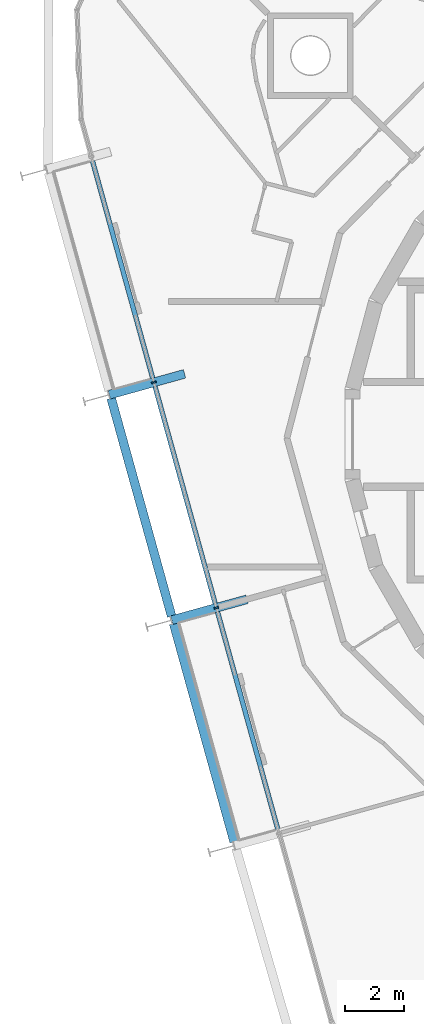
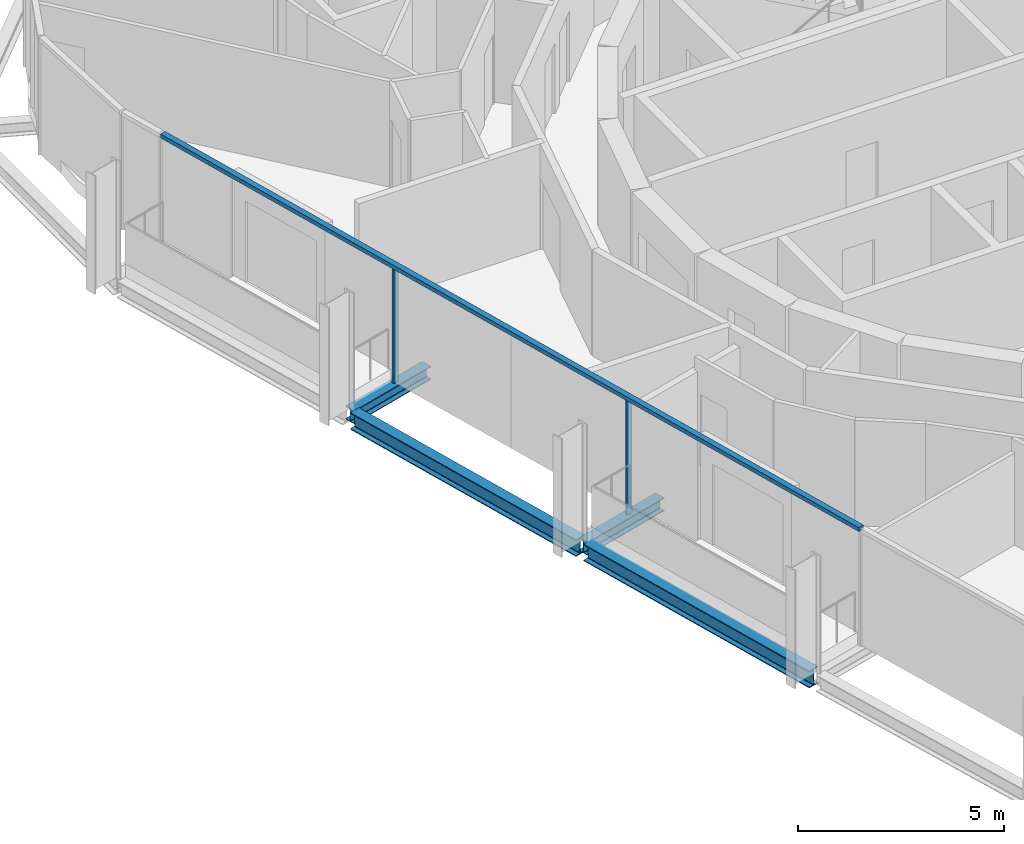
# One storey, part 3 of 16: 4 beams, 3 members, 1 element without a shape of its own.
"""IFC4 building model written with IfcOpenShell, lengths in metres."""

from ifc_helpers import new_model, si_unit, direction, frame, origin, origin_2d, place, context, subcontext, project, spatial, rectangle, i_section, extrude, material, layer, layer_set, material_profile, profile_set, type_object, element, aggregate, save


model = new_model("IFC4")

# Units and contexts
model_context = context("Model", 3, precision=1e-05, world=origin(), true_north=direction((0.0, 1.0)))
body_context = subcontext(model_context, "Body", "Model", "MODEL_VIEW")
ifc_project = project(units=[si_unit("LENGTHUNIT", "METRE"), si_unit("AREAUNIT", "SQUARE_METRE"), si_unit("VOLUMEUNIT", "CUBIC_METRE"), si_unit("PLANEANGLEUNIT", "RADIAN"), si_unit("MASSUNIT", "GRAM", prefix="KILO")], contexts=[model_context])

# Site, building, storey
site_placement = place(None, origin())
site = spatial("IfcSite", under=ifc_project, at=site_placement, CompositionType="ELEMENT")
building_placement = place(site_placement, origin())
building = spatial("IfcBuilding", under=site, at=building_placement, Name="Spindle Arch Residences", CompositionType="ELEMENT")
storey_placement = place(building_placement, frame((0.0, 0.0, 301.699951171875)))
storey = spatial("IfcBuildingStorey", under=building, at=storey_placement, Name="L77", CompositionType="ELEMENT", Elevation=301.699951171875)

# Curtain wall, members
ifc_material_1 = material(Name="Aluminium bronze unitised frame with tinted glass", Category="aluminium")
ifc_layer = layer(ifc_material_1, 0.159912109375)
ifc_layer_set = layer_set([ifc_layer], Name="CW-C typical residential unitised wall")
curtain_wall_type = type_object("IfcCurtainWallType", Name="CW-C typical residential unitised wall", PredefinedType="NOTDEFINED", material=ifc_layer_set)
curtain_wall_placement = place(storey_placement, origin())
curtain_wall = element("IfcCurtainWall", 1, at=curtain_wall_placement, inside=storey, type_object=curtain_wall_type, Name="CW-C L77 run 4", PredefinedType="NOTDEFINED")
ifc_material_2 = material(Name="Aluminium bronze anodised mullion", Category="aluminium")
ifc_material_profile_1 = material_profile(ifc_material_2, rectangle(XDim=0.159912109375, YDim=0.06005859375, at=origin_2d()), Name="MU 60x160")
ifc_profile_set_1 = profile_set([ifc_material_profile_1], Name="Aluminium bronze anodised mullion")
member_type_1 = type_object("IfcMemberType", Name="Bronze mullion 60x160", PredefinedType="MULLION", material=ifc_profile_set_1)
member_1_placement = place(storey_placement, frame((-18.384521484375, 1.763671875, -0.3798828125), z_axis=(0.0, 0.0, 1.0), x_axis=(0.963630453209, 0.267238376078, 0.0)))
member_1 = element("IfcMember", 2, at=member_1_placement, type_object=member_type_1, Name="CW-C mullion 12", PredefinedType="MULLION", context=body_context, shape_type="SweptSolid", body=[
    extrude(rectangle(XDim=0.159912109375, YDim=0.06005859375, at=origin_2d()), origin(), (0.0, 0.0, 1.0), 3.3798828125),
])
member_2_placement = place(storey_placement, frame((-16.263916015625, -5.8828125, -0.3798828125), z_axis=(0.0, 0.0, 1.0), x_axis=(0.963630453209, 0.267238376078, 0.0)))
member_2 = element("IfcMember", 3, at=member_2_placement, type_object=member_type_1, Name="CW-C mullion 13", PredefinedType="MULLION", context=body_context, shape_type="SweptSolid", body=[
    extrude(rectangle(XDim=0.159912109375, YDim=0.06005859375, at=origin_2d()), origin(), (0.0, 0.0, 1.0), 3.3798828125),
])
ifc_material_3 = material(Name="Aluminium bronze anodised transom", Category="aluminium")
ifc_material_profile_2 = material_profile(ifc_material_3, rectangle(XDim=0.159912109375, YDim=0.1201171875, at=origin_2d()), Name="TR 120x160")
ifc_profile_set_2 = profile_set([ifc_material_profile_2], Name="Aluminium bronze anodised transom")
member_type_2 = type_object("IfcMemberType", Name="Bronze transom 120x160", PredefinedType="USERDEFINED", material=ifc_profile_set_2)
member_3_placement = place(storey_placement, frame((-20.4970703125, 9.38134765625, 3.06005859375), z_axis=(0.267238704816, -0.963630362041, 0.0), x_axis=(0.963630362041, 0.267238704816, 0.0)))
member_3 = element("IfcMember", 4, at=member_3_placement, type_object=member_type_2, Name="CW-C transom 00", ObjectType="TRANSOM", PredefinedType="USERDEFINED", context=body_context, shape_type="SweptSolid", body=[
    extrude(rectangle(XDim=0.159912109375, YDim=0.1201171875, at=origin_2d()), origin(), (0.0, 0.0, 1.0), 23.745361328125),
])
aggregate(curtain_wall, [member_3, member_1, member_2])

# Beams
ifc_material_4 = material(Name="Steel S460ML, intumescent coating R 120", Category="steel")
ifc_material_profile_3 = material_profile(ifc_material_4, i_section(OverallWidth=0.300048828125, OverallDepth=0.5, WebThickness=0.014404296875, FlangeThickness=0.028076171875, FilletRadius=0.027099609375, at=origin_2d()), Name="HEB 500")
ifc_profile_set_3 = profile_set([ifc_material_profile_3], Name="Steel S460ML, intumescent coating R 120")
beam_type_1 = type_object("IfcBeamType", Name="Exoskeleton edge beam HEB 500", PredefinedType="BEAM", material=ifc_profile_set_3)
beam_1_placement = place(storey_placement, frame((-19.833740234375, 1.226806640625, -0.6298828125), z_axis=(0.26723040865, -0.963632662737, 0.0), x_axis=(0.963632662737, 0.26723040865, 0.0)))
element("IfcBeam", 5, at=beam_1_placement, inside=storey, type_object=beam_type_1, Name="Exoskeleton edge beam 13", PredefinedType="BEAM", context=body_context, shape_type="SweptSolid", body=[
    extrude(i_section(OverallWidth=0.300048828125, OverallDepth=0.5, WebThickness=0.014404296875, FlangeThickness=0.028076171875, FilletRadius=0.027099609375, at=origin_2d()), origin(), (0.0, 0.0, 1.0), 7.675048828125),
])
beam_2_placement = place(storey_placement, frame((-17.71337890625, -6.419677734375, -0.6298828125), z_axis=(0.267259946058, -0.963624471064, 0.0), x_axis=(0.963624471064, 0.267259946058, 0.0)))
element("IfcBeam", 6, at=beam_2_placement, inside=storey, type_object=beam_type_1, Name="Exoskeleton edge beam 14", PredefinedType="BEAM", context=body_context, shape_type="SweptSolid", body=[
    extrude(i_section(OverallWidth=0.300048828125, OverallDepth=0.5, WebThickness=0.014404296875, FlangeThickness=0.028076171875, FilletRadius=0.027099609375, at=origin_2d()), origin(), (0.0, 0.0, 1.0), 7.67529296875),
])
ifc_material_5 = material(Name="Steel S460ML, intumescent coating R 120", Category="steel")
ifc_material_profile_4 = material_profile(ifc_material_5, i_section(OverallWidth=0.300048828125, OverallDepth=0.389892578125, WebThickness=0.010986328125, FlangeThickness=0.01904296875, FilletRadius=0.027099609375, at=origin_2d()), Name="HEA 400")
ifc_profile_set_4 = profile_set([ifc_material_profile_4], Name="Steel S460ML, intumescent coating R 120")
beam_type_2 = type_object("IfcBeamType", Name="Floor outrigger HEA 400", PredefinedType="BEAM", material=ifc_profile_set_4)
for number, where, z_axis, x_axis, name in (
    (7, (-19.8974609375, 1.343994140625, -0.574951171875), (0.963626057771, 0.267254225009, 0.0), (-0.267254225009, 0.963626057771, 0.0), "Floor outrigger 13"),
    (8, (-17.777099609375, -6.302490234375, -0.574951171875), (0.963626057771, 0.267254225009, 0.0), (-0.267254225009, 0.963626057771, 0.0), "Floor outrigger 14"),
):
    element("IfcBeam", number, at=place(storey_placement, frame(where, z_axis=z_axis, x_axis=x_axis)), inside=storey, type_object=beam_type_2, Name=name, PredefinedType="BEAM", context=body_context, shape_type="SweptSolid", body=[
        extrude(i_section(OverallWidth=0.300048828125, OverallDepth=0.389892578125, WebThickness=0.010986328125, FlangeThickness=0.01904296875, FilletRadius=0.027099609375, at=origin_2d()), origin(), (0.0, 0.0, 1.0), 2.650146484375),
    ])

save(model, "model.ifc")
